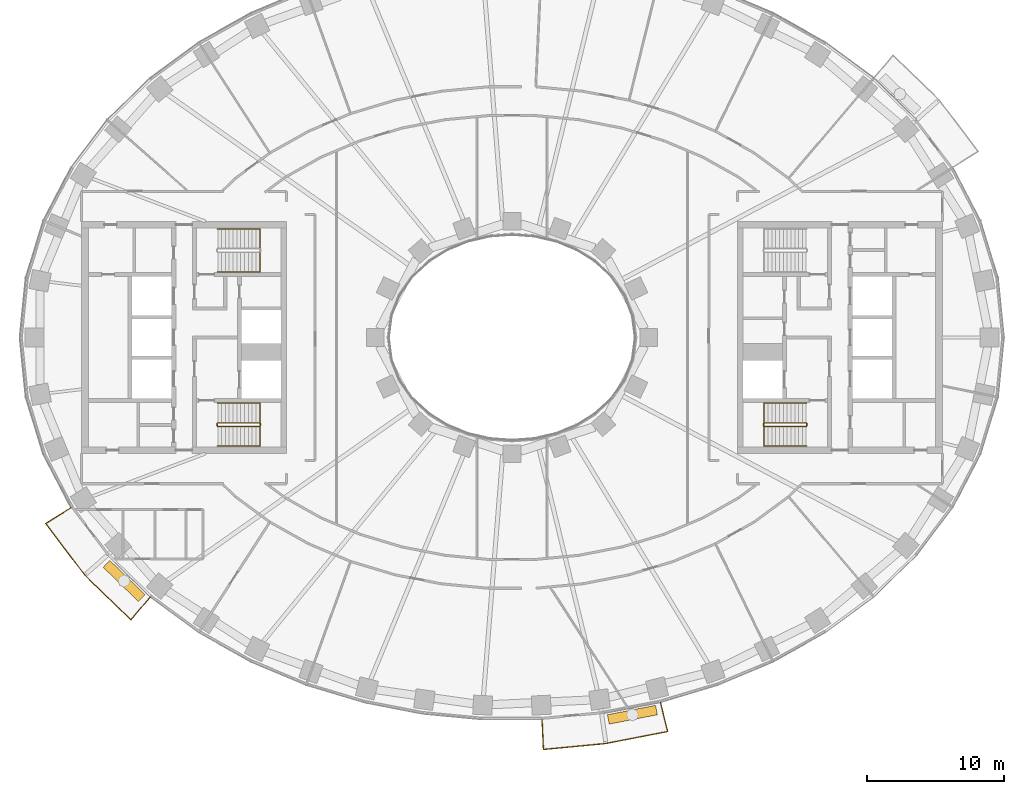
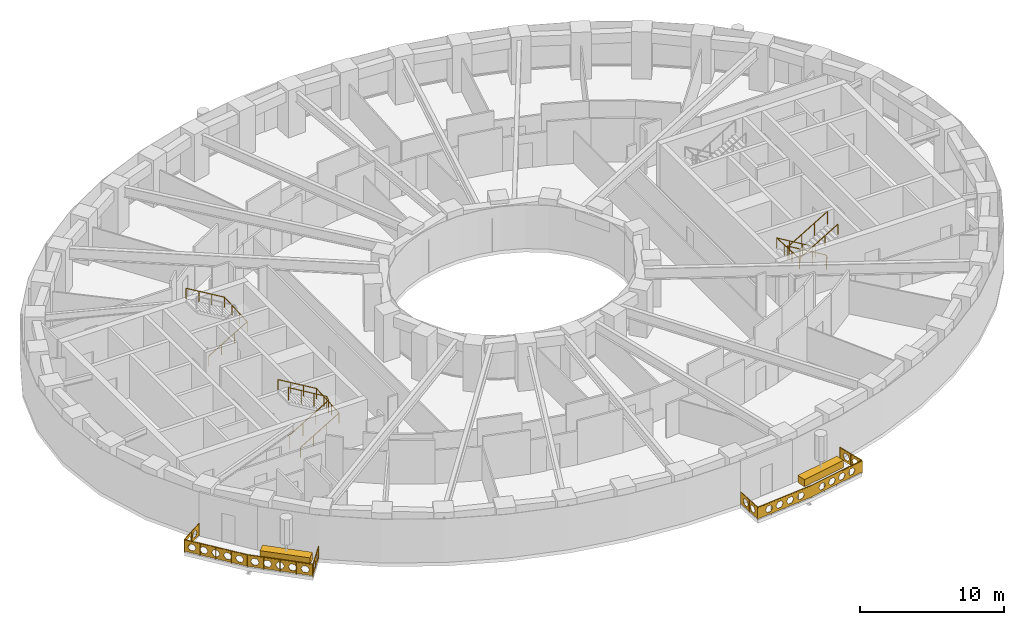
# One storey, part 14 of 16: 7 railings, 2 coverings.
"""IFC4 building model written with IfcOpenShell, lengths in metres."""

from ifc_helpers import new_model, si_unit, direction, frame, origin, origin_2d, place, context, subcontext, project, spatial, polyline, rectangle, outline, extrude, material, type_object, element, save


model = new_model("IFC4")

# Units and contexts
model_context = context("Model", 3, precision=1e-05, world=origin(), true_north=direction((0.0, 1.0)))
body_context = subcontext(model_context, "Body", "Model", "MODEL_VIEW")
ifc_project = project(units=[si_unit("LENGTHUNIT", "METRE"), si_unit("AREAUNIT", "SQUARE_METRE"), si_unit("VOLUMEUNIT", "CUBIC_METRE"), si_unit("PLANEANGLEUNIT", "RADIAN"), si_unit("MASSUNIT", "GRAM", prefix="KILO")], contexts=[model_context])

# Site, building, storey
site_placement = place(None, origin())
site = spatial("IfcSite", under=ifc_project, at=site_placement, CompositionType="ELEMENT")
building_placement = place(site_placement, origin())
building = spatial("IfcBuilding", under=site, at=building_placement, Name="Noorbagh Ring Tower", CompositionType="ELEMENT")
storey_placement = place(building_placement, frame((0.0, 0.0, 66.5)))
storey = spatial("IfcBuildingStorey", under=building, at=storey_placement, Name="L14", CompositionType="ELEMENT", Elevation=66.5)

# Railings
ifc_material_1 = material(Name="Stainless steel", Category="steel")
railing_type_1 = type_object("IfcRailingType", Name="CORE-STAIR-GUARD", PredefinedType="GUARDRAIL", material=ifc_material_1)
railing_1_placement = place(storey_placement, frame((-21.580078125, -6.449951171875, 0.0)))
element("IfcRailing", 1, at=railing_1_placement, inside=storey, type_object=railing_type_1, Name="L14 ST2 stair guard", PredefinedType="GUARDRAIL", context=body_context, shape_type="SweptSolid", body=[
    extrude(rectangle(XDim=0.048095703125, YDim=0.048095703125, at=origin_2d()), frame((0.0, 0.0, 1.076171875), z_axis=(0.0, 1.0, 0.0), x_axis=(-1.0, 0.0, 0.0)), (0.0, 0.0, 1.0), 0.14990234375),
    extrude(rectangle(XDim=0.048095703125, YDim=0.048095703125, at=origin_2d()), frame((0.0, 0.14990234375, 1.076171875), z_axis=(0.188775798145, -0.754182335027, 0.628945707965), x_axis=(0.970072785993, 0.242814311512, 0.0)), (0.0, 0.0, 1.0), 0.26513671875),
    extrude(rectangle(XDim=0.048095703125, YDim=0.048095703125, at=origin_2d()), frame((0.050048828125, -0.050048828125, 1.24267578125), z_axis=(0.859308565015, 0.0, 0.511457515432), x_axis=(0.0, 1.0, 0.0)), (0.0, 0.0, 1.0), 3.58447265625),
    extrude(rectangle(XDim=0.048095703125, YDim=0.048095703125, at=origin_2d()), frame((3.130126953125, -0.050048828125, 3.076171875), z_axis=(0.707106781187, 0.707106781187, 0.0), x_axis=(-0.707106781187, 0.707106781187, 0.0)), (0.0, 0.0, 1.0), 0.07080078125),
    extrude(rectangle(XDim=0.048095703125, YDim=0.048095703125, at=origin_2d()), frame((3.18017578125, 0.0, 3.076171875), z_axis=(0.0, 1.0, 0.0), x_axis=(-1.0, 0.0, 0.0)), (0.0, 0.0, 1.0), 0.14990234375),
    extrude(rectangle(XDim=0.048095703125, YDim=0.048095703125, at=origin_2d()), frame((3.18017578125, 0.14990234375, 3.076171875), z_axis=(-0.27628659633, 0.27628659633, 0.920506074601), x_axis=(-0.707106781187, -0.707106781187, 0.0)), (0.0, 0.0, 1.0), 0.18115234375),
    extrude(rectangle(XDim=0.048095703125, YDim=0.048095703125, at=origin_2d()), frame((3.130126953125, 0.199951171875, 3.24267578125), z_axis=(-0.859308565015, 0.0, 0.511457515432), x_axis=(0.0, -1.0, 0.0)), (0.0, 0.0, 1.0), 3.58447265625),
    extrude(rectangle(XDim=0.0419921875, YDim=0.0419921875, at=origin_2d()), origin(), (0.0, 0.0, 1.0), 1.052001953125),
    extrude(rectangle(XDim=0.0419921875, YDim=0.0419921875, at=origin_2d()), frame((1.07666015625, -0.050048828125, 0.77783203125)), (0.0, 0.0, 1.0), 1.052001953125),
    extrude(rectangle(XDim=0.0419921875, YDim=0.0419921875, at=origin_2d()), frame((2.103515625, -0.050048828125, 1.388916015625)), (0.0, 0.0, 1.0), 1.052001953125),
    extrude(rectangle(XDim=0.0419921875, YDim=0.0419921875, at=origin_2d()), frame((3.130126953125, -0.050048828125, 2.0)), (0.0, 0.0, 1.0), 1.052001953125),
    extrude(rectangle(XDim=0.0419921875, YDim=0.0419921875, at=origin_2d()), frame((3.130126953125, 0.199951171875, 2.166748046875)), (0.0, 0.0, 1.0), 1.052001953125),
    extrude(rectangle(XDim=0.0419921875, YDim=0.0419921875, at=origin_2d()), frame((2.103515625, 0.199951171875, 2.77783203125)), (0.0, 0.0, 1.0), 1.052001953125),
    extrude(rectangle(XDim=0.0419921875, YDim=0.0419921875, at=origin_2d()), frame((1.07666015625, 0.199951171875, 3.388916015625)), (0.0, 0.0, 1.0), 1.052001953125),
    extrude(rectangle(XDim=0.0419921875, YDim=0.0419921875, at=origin_2d()), frame((0.050048828125, 0.199951171875, 4.0)), (0.0, 0.0, 1.0), 1.052001953125),
])
railing_2_placement = place(storey_placement, frame((21.580078125, -6.300048828125, 0.0)))
element("IfcRailing", 2, at=railing_2_placement, inside=storey, type_object=railing_type_1, Name="L14 ST4 stair guard", PredefinedType="GUARDRAIL", context=body_context, shape_type="SweptSolid", body=[
    extrude(rectangle(XDim=0.048095703125, YDim=0.048095703125, at=origin_2d()), frame((0.0, 0.0, 1.076171875), z_axis=(0.0, -1.0, 0.0), x_axis=(1.0, 0.0, 0.0)), (0.0, 0.0, 1.0), 0.14990234375),
    extrude(rectangle(XDim=0.048095703125, YDim=0.048095703125, at=origin_2d()), frame((0.0, -0.14990234375, 1.076171875), z_axis=(-0.188775798145, 0.754182335027, 0.628945707965), x_axis=(-0.970072785993, -0.242814311512, 0.0)), (0.0, 0.0, 1.0), 0.26513671875),
    extrude(rectangle(XDim=0.048095703125, YDim=0.048095703125, at=origin_2d()), frame((-0.050048828125, 0.050048828125, 1.24267578125), z_axis=(-0.859308565015, 0.0, 0.511457515432), x_axis=(0.0, -1.0, 0.0)), (0.0, 0.0, 1.0), 3.58447265625),
    extrude(rectangle(XDim=0.048095703125, YDim=0.048095703125, at=origin_2d()), frame((-3.130126953125, 0.050048828125, 3.076171875), z_axis=(-0.707106781187, -0.707106781187, 0.0), x_axis=(0.707106781187, -0.707106781187, 0.0)), (0.0, 0.0, 1.0), 0.07080078125),
    extrude(rectangle(XDim=0.048095703125, YDim=0.048095703125, at=origin_2d()), frame((-3.18017578125, 0.0, 3.076171875), z_axis=(0.0, -1.0, 0.0), x_axis=(1.0, 0.0, 0.0)), (0.0, 0.0, 1.0), 0.14990234375),
    extrude(rectangle(XDim=0.048095703125, YDim=0.048095703125, at=origin_2d()), frame((-3.18017578125, -0.14990234375, 3.076171875), z_axis=(0.27628659633, -0.27628659633, 0.920506074601), x_axis=(0.707106781187, 0.707106781187, 0.0)), (0.0, 0.0, 1.0), 0.18115234375),
    extrude(rectangle(XDim=0.048095703125, YDim=0.048095703125, at=origin_2d()), frame((-3.130126953125, -0.199951171875, 3.24267578125), z_axis=(0.859308565015, 0.0, 0.511457515432), x_axis=(0.0, 1.0, 0.0)), (0.0, 0.0, 1.0), 3.58447265625),
    extrude(rectangle(XDim=0.0419921875, YDim=0.0419921875, at=origin_2d()), origin(), (0.0, 0.0, 1.0), 1.052001953125),
    extrude(rectangle(XDim=0.0419921875, YDim=0.0419921875, at=origin_2d()), frame((-1.07666015625, 0.050048828125, 0.77783203125)), (0.0, 0.0, 1.0), 1.052001953125),
    extrude(rectangle(XDim=0.0419921875, YDim=0.0419921875, at=origin_2d()), frame((-2.103515625, 0.050048828125, 1.388916015625)), (0.0, 0.0, 1.0), 1.052001953125),
    extrude(rectangle(XDim=0.0419921875, YDim=0.0419921875, at=origin_2d()), frame((-3.130126953125, 0.050048828125, 2.0)), (0.0, 0.0, 1.0), 1.052001953125),
    extrude(rectangle(XDim=0.0419921875, YDim=0.0419921875, at=origin_2d()), frame((-3.130126953125, -0.199951171875, 2.166748046875)), (0.0, 0.0, 1.0), 1.052001953125),
    extrude(rectangle(XDim=0.0419921875, YDim=0.0419921875, at=origin_2d()), frame((-2.103515625, -0.199951171875, 2.77783203125)), (0.0, 0.0, 1.0), 1.052001953125),
    extrude(rectangle(XDim=0.0419921875, YDim=0.0419921875, at=origin_2d()), frame((-1.07666015625, -0.199951171875, 3.388916015625)), (0.0, 0.0, 1.0), 1.052001953125),
    extrude(rectangle(XDim=0.0419921875, YDim=0.0419921875, at=origin_2d()), frame((-0.050048828125, -0.199951171875, 4.0)), (0.0, 0.0, 1.0), 1.052001953125),
])
ifc_material_2 = material(Name="Stainless steel", Category="steel")
railing_type_2 = type_object("IfcRailingType", Name="CORE-STAIR-HANDRAIL", PredefinedType="HANDRAIL", material=ifc_material_2)
railing_3_placement = place(storey_placement, frame((-21.530029296875, 4.800048828125, 0.166748046875)))
element("IfcRailing", 3, at=railing_3_placement, inside=storey, type_object=railing_type_2, Name="L14 ST1 stair handrail", PredefinedType="HANDRAIL", context=body_context, shape_type="SweptSolid", body=[
    extrude(rectangle(XDim=0.048095703125, YDim=0.048095703125, at=origin_2d()), frame((0.0, 0.0, 0.8759765625), z_axis=(0.859308565015, 0.0, 0.511457515432), x_axis=(0.0, 1.0, 0.0)), (0.0, 0.0, 1.0), 3.58447265625),
    extrude(rectangle(XDim=0.048095703125, YDim=0.048095703125, at=origin_2d()), frame((3.080078125, 0.0, 2.708984375), z_axis=(0.0, 0.998601747152, 0.052863509014), x_axis=(-1.0, 0.0, 0.0)), (0.0, 0.0, 1.0), 3.154296875),
    extrude(rectangle(XDim=0.048095703125, YDim=0.048095703125, at=origin_2d()), frame((3.080078125, 3.14990234375, 2.8759765625), z_axis=(-0.859308565015, 0.0, 0.511457515432), x_axis=(0.0, -1.0, 0.0)), (0.0, 0.0, 1.0), 3.58447265625),
    extrude(rectangle(XDim=0.0419921875, YDim=0.0419921875, at=origin_2d()), origin(), (0.0, 0.0, 1.0), 0.851806640625),
    extrude(rectangle(XDim=0.0419921875, YDim=0.0419921875, at=origin_2d()), frame((1.026611328125, 0.0, 0.611083984375)), (0.0, 0.0, 1.0), 0.851806640625),
    extrude(rectangle(XDim=0.0419921875, YDim=0.0419921875, at=origin_2d()), frame((2.053466796875, 0.0, 1.22216796875)), (0.0, 0.0, 1.0), 0.851806640625),
    extrude(rectangle(XDim=0.0419921875, YDim=0.0419921875, at=origin_2d()), frame((3.080078125, 0.0, 1.833251953125)), (0.0, 0.0, 1.0), 0.851806640625),
    extrude(rectangle(XDim=0.0419921875, YDim=0.0419921875, at=origin_2d()), frame((3.080078125, 1.050048828125, 1.888916015625)), (0.0, 0.0, 1.0), 0.851806640625),
    extrude(rectangle(XDim=0.0419921875, YDim=0.0419921875, at=origin_2d()), frame((3.080078125, 2.099853515625, 1.9443359375)), (0.0, 0.0, 1.0), 0.851806640625),
    extrude(rectangle(XDim=0.0419921875, YDim=0.0419921875, at=origin_2d()), frame((3.080078125, 3.14990234375, 2.0)), (0.0, 0.0, 1.0), 0.851806640625),
    extrude(rectangle(XDim=0.0419921875, YDim=0.0419921875, at=origin_2d()), frame((2.053466796875, 3.14990234375, 2.611083984375)), (0.0, 0.0, 1.0), 0.851806640625),
    extrude(rectangle(XDim=0.0419921875, YDim=0.0419921875, at=origin_2d()), frame((1.026611328125, 3.14990234375, 3.22216796875)), (0.0, 0.0, 1.0), 0.851806640625),
    extrude(rectangle(XDim=0.0419921875, YDim=0.0419921875, at=origin_2d()), frame((0.0, 3.14990234375, 3.833251953125)), (0.0, 0.0, 1.0), 0.851806640625),
])
railing_4_placement = place(storey_placement, frame((-21.530029296875, -7.949951171875, 0.166748046875)))
element("IfcRailing", 4, at=railing_4_placement, inside=storey, type_object=railing_type_2, Name="L14 ST2 stair handrail", PredefinedType="HANDRAIL", context=body_context, shape_type="SweptSolid", body=[
    extrude(rectangle(XDim=0.048095703125, YDim=0.048095703125, at=origin_2d()), frame((0.0, 0.0, 0.8759765625), z_axis=(0.859308565015, 0.0, 0.511457515432), x_axis=(0.0, 1.0, 0.0)), (0.0, 0.0, 1.0), 3.58447265625),
    extrude(rectangle(XDim=0.048095703125, YDim=0.048095703125, at=origin_2d()), frame((3.080078125, 0.0, 2.708984375), z_axis=(0.0, 0.998601747152, 0.052863509014), x_axis=(-1.0, 0.0, 0.0)), (0.0, 0.0, 1.0), 3.154296875),
    extrude(rectangle(XDim=0.048095703125, YDim=0.048095703125, at=origin_2d()), frame((3.080078125, 3.14990234375, 2.8759765625), z_axis=(-0.859308565015, 0.0, 0.511457515432), x_axis=(0.0, -1.0, 0.0)), (0.0, 0.0, 1.0), 3.58447265625),
    extrude(rectangle(XDim=0.0419921875, YDim=0.0419921875, at=origin_2d()), origin(), (0.0, 0.0, 1.0), 0.851806640625),
    extrude(rectangle(XDim=0.0419921875, YDim=0.0419921875, at=origin_2d()), frame((1.026611328125, 0.0, 0.611083984375)), (0.0, 0.0, 1.0), 0.851806640625),
    extrude(rectangle(XDim=0.0419921875, YDim=0.0419921875, at=origin_2d()), frame((2.053466796875, 0.0, 1.22216796875)), (0.0, 0.0, 1.0), 0.851806640625),
    extrude(rectangle(XDim=0.0419921875, YDim=0.0419921875, at=origin_2d()), frame((3.080078125, 0.0, 1.833251953125)), (0.0, 0.0, 1.0), 0.851806640625),
    extrude(rectangle(XDim=0.0419921875, YDim=0.0419921875, at=origin_2d()), frame((3.080078125, 1.050048828125, 1.888916015625)), (0.0, 0.0, 1.0), 0.851806640625),
    extrude(rectangle(XDim=0.0419921875, YDim=0.0419921875, at=origin_2d()), frame((3.080078125, 2.099853515625, 1.9443359375)), (0.0, 0.0, 1.0), 0.851806640625),
    extrude(rectangle(XDim=0.0419921875, YDim=0.0419921875, at=origin_2d()), frame((3.080078125, 3.14990234375, 2.0)), (0.0, 0.0, 1.0), 0.851806640625),
    extrude(rectangle(XDim=0.0419921875, YDim=0.0419921875, at=origin_2d()), frame((2.053466796875, 3.14990234375, 2.611083984375)), (0.0, 0.0, 1.0), 0.851806640625),
    extrude(rectangle(XDim=0.0419921875, YDim=0.0419921875, at=origin_2d()), frame((1.026611328125, 3.14990234375, 3.22216796875)), (0.0, 0.0, 1.0), 0.851806640625),
    extrude(rectangle(XDim=0.0419921875, YDim=0.0419921875, at=origin_2d()), frame((0.0, 3.14990234375, 3.833251953125)), (0.0, 0.0, 1.0), 0.851806640625),
])
railing_5_placement = place(storey_placement, frame((21.530029296875, -4.800048828125, 0.166748046875)))
element("IfcRailing", 5, at=railing_5_placement, inside=storey, type_object=railing_type_2, Name="L14 ST4 stair handrail", PredefinedType="HANDRAIL", context=body_context, shape_type="SweptSolid", body=[
    extrude(rectangle(XDim=0.048095703125, YDim=0.048095703125, at=origin_2d()), frame((0.0, 0.0, 0.8759765625), z_axis=(-0.859308565015, 0.0, 0.511457515432), x_axis=(0.0, -1.0, 0.0)), (0.0, 0.0, 1.0), 3.58447265625),
    extrude(rectangle(XDim=0.048095703125, YDim=0.048095703125, at=origin_2d()), frame((-3.080078125, 0.0, 2.708984375), z_axis=(0.0, -0.998601747152, 0.052863509014), x_axis=(1.0, 0.0, 0.0)), (0.0, 0.0, 1.0), 3.154296875),
    extrude(rectangle(XDim=0.048095703125, YDim=0.048095703125, at=origin_2d()), frame((-3.080078125, -3.14990234375, 2.8759765625), z_axis=(0.859308565015, 0.0, 0.511457515432), x_axis=(0.0, 1.0, 0.0)), (0.0, 0.0, 1.0), 3.58447265625),
    extrude(rectangle(XDim=0.0419921875, YDim=0.0419921875, at=origin_2d()), origin(), (0.0, 0.0, 1.0), 0.851806640625),
    extrude(rectangle(XDim=0.0419921875, YDim=0.0419921875, at=origin_2d()), frame((-1.026611328125, 0.0, 0.611083984375)), (0.0, 0.0, 1.0), 0.851806640625),
    extrude(rectangle(XDim=0.0419921875, YDim=0.0419921875, at=origin_2d()), frame((-2.053466796875, 0.0, 1.22216796875)), (0.0, 0.0, 1.0), 0.851806640625),
    extrude(rectangle(XDim=0.0419921875, YDim=0.0419921875, at=origin_2d()), frame((-3.080078125, 0.0, 1.833251953125)), (0.0, 0.0, 1.0), 0.851806640625),
    extrude(rectangle(XDim=0.0419921875, YDim=0.0419921875, at=origin_2d()), frame((-3.080078125, -1.050048828125, 1.888916015625)), (0.0, 0.0, 1.0), 0.851806640625),
    extrude(rectangle(XDim=0.0419921875, YDim=0.0419921875, at=origin_2d()), frame((-3.080078125, -2.099853515625, 1.9443359375)), (0.0, 0.0, 1.0), 0.851806640625),
    extrude(rectangle(XDim=0.0419921875, YDim=0.0419921875, at=origin_2d()), frame((-3.080078125, -3.14990234375, 2.0)), (0.0, 0.0, 1.0), 0.851806640625),
    extrude(rectangle(XDim=0.0419921875, YDim=0.0419921875, at=origin_2d()), frame((-2.053466796875, -3.14990234375, 2.611083984375)), (0.0, 0.0, 1.0), 0.851806640625),
    extrude(rectangle(XDim=0.0419921875, YDim=0.0419921875, at=origin_2d()), frame((-1.026611328125, -3.14990234375, 3.22216796875)), (0.0, 0.0, 1.0), 0.851806640625),
    extrude(rectangle(XDim=0.0419921875, YDim=0.0419921875, at=origin_2d()), frame((0.0, -3.14990234375, 3.833251953125)), (0.0, 0.0, 1.0), 0.851806640625),
])
ifc_material_3 = material(Name="Steel S275 black powder-coated", Category="steel")
railing_type_3 = type_object("IfcRailingType", Name="ENV-GUARD", PredefinedType="GUARDRAIL", material=ifc_material_3)
railing_6_placement = place(storey_placement, frame((-32.255126953125, -12.434814453125, 0.0)))
element("IfcRailing", 6, at=railing_6_placement, inside=storey, type_object=railing_type_3, Name="Balcony guard BS01", PredefinedType="GUARDRAIL", context=body_context, shape_type="SweptSolid", body=[
    extrude(rectangle(XDim=0.048095703125, YDim=0.048095703125, at=origin_2d()), frame((0.0, 0.0, 1.076171875), z_axis=(-0.844852397829, -0.534999463442, 0.0), x_axis=(0.534999463442, -0.844852397829, 0.0)), (0.0, 0.0, 1.0), 2.207763671875),
    extrude(rectangle(XDim=0.048095703125, YDim=0.048095703125, at=origin_2d()), frame((-1.865234375, -1.18115234375, 1.076171875), z_axis=(0.604001613322, -0.796983093362, 0.0), x_axis=(0.796983093362, 0.604001613322, 0.0)), (0.0, 0.0, 1.0), 4.7353515625),
    extrude(rectangle(XDim=0.048095703125, YDim=0.048095703125, at=origin_2d()), frame((0.994873046875, -4.955078125, 1.076171875), z_axis=(0.717212632946, -0.696854388766, 0.0), x_axis=(0.696854388766, 0.717212632946, 0.0)), (0.0, 0.0, 1.0), 4.700927734375),
    extrude(rectangle(XDim=0.048095703125, YDim=0.048095703125, at=origin_2d()), frame((4.366455078125, -8.23095703125, 1.076171875), z_axis=(0.646413574048, 0.762987215677, 0.0), x_axis=(-0.762987215677, 0.646413574048, 0.0)), (0.0, 0.0, 1.0), 2.205322265625),
    extrude(rectangle(XDim=0.0419921875, YDim=0.0419921875, at=origin_2d()), origin(), (0.0, 0.0, 1.0), 1.052001953125),
    extrude(rectangle(XDim=0.0419921875, YDim=0.0419921875, at=origin_2d()), frame((-0.9326171875, -0.590576171875, 0.0)), (0.0, 0.0, 1.0), 1.052001953125),
    extrude(rectangle(XDim=0.0419921875, YDim=0.0419921875, at=origin_2d()), frame((-1.865234375, -1.18115234375, 0.0)), (0.0, 0.0, 1.0), 1.052001953125),
    extrude(rectangle(XDim=0.0419921875, YDim=0.0419921875, at=origin_2d()), frame((-1.150146484375, -2.12451171875, 0.0)), (0.0, 0.0, 1.0), 1.052001953125),
    extrude(rectangle(XDim=0.0419921875, YDim=0.0419921875, at=origin_2d()), frame((-0.43505859375, -3.068115234375, 0.0)), (0.0, 0.0, 1.0), 1.052001953125),
    extrude(rectangle(XDim=0.0419921875, YDim=0.0419921875, at=origin_2d()), frame((0.27978515625, -4.01171875, 0.0)), (0.0, 0.0, 1.0), 1.052001953125),
    extrude(rectangle(XDim=0.0419921875, YDim=0.0419921875, at=origin_2d()), frame((0.994873046875, -4.955078125, 0.0)), (0.0, 0.0, 1.0), 1.052001953125),
    extrude(rectangle(XDim=0.0419921875, YDim=0.0419921875, at=origin_2d()), frame((1.837890625, -5.77392578125, 0.0)), (0.0, 0.0, 1.0), 1.052001953125),
    extrude(rectangle(XDim=0.0419921875, YDim=0.0419921875, at=origin_2d()), frame((2.6806640625, -6.593017578125, 0.0)), (0.0, 0.0, 1.0), 1.052001953125),
    extrude(rectangle(XDim=0.0419921875, YDim=0.0419921875, at=origin_2d()), frame((3.5234375, -7.412109375, 0.0)), (0.0, 0.0, 1.0), 1.052001953125),
    extrude(rectangle(XDim=0.0419921875, YDim=0.0419921875, at=origin_2d()), frame((4.366455078125, -8.23095703125, 0.0)), (0.0, 0.0, 1.0), 1.052001953125),
    extrude(rectangle(XDim=0.0419921875, YDim=0.0419921875, at=origin_2d()), frame((5.0791015625, -7.3896484375, 0.0)), (0.0, 0.0, 1.0), 1.052001953125),
    extrude(rectangle(XDim=0.0419921875, YDim=0.0419921875, at=origin_2d()), frame((5.7919921875, -6.54833984375, 0.0)), (0.0, 0.0, 1.0), 1.052001953125),
    extrude(outline(polyline([(0.0, 0.10009765625), (2.207763671875, 0.10009765625), (2.207763671875, 1.031982421875), (0.0, 1.031982421875), (0.0, 0.10009765625)]), holes=[polyline([(0.9638671875, 0.56591796875), (0.808837890625, 0.83447265625), (0.498779296875, 0.83447265625), (0.343994140625, 0.56591796875), (0.498779296875, 0.297607421875), (0.808837890625, 0.297607421875), (0.9638671875, 0.56591796875)]), polyline([(1.86376953125, 0.56591796875), (1.708984375, 0.83447265625), (1.39892578125, 0.83447265625), (1.243896484375, 0.56591796875), (1.39892578125, 0.297607421875), (1.708984375, 0.297607421875), (1.86376953125, 0.56591796875)])]), frame((0.00537109375, -0.008544921875, 0.0), z_axis=(-0.534999463442, 0.844852397829, 0.0), x_axis=(-0.844852397829, -0.534999463442, 0.0)), (0.0, 0.0, 1.0), 0.02001953125),
    extrude(outline(polyline([(0.0, 0.10009765625), (4.7353515625, 0.10009765625), (4.7353515625, 1.031982421875), (0.0, 1.031982421875), (0.0, 0.10009765625)]), holes=[polyline([(0.877685546875, 0.56591796875), (0.72265625, 0.83447265625), (0.41259765625, 0.83447265625), (0.257568359375, 0.56591796875), (0.41259765625, 0.297607421875), (0.72265625, 0.297607421875), (0.877685546875, 0.56591796875)]), polyline([(1.777587890625, 0.56591796875), (1.62255859375, 0.83447265625), (1.312744140625, 0.83447265625), (1.15771484375, 0.56591796875), (1.312744140625, 0.297607421875), (1.62255859375, 0.297607421875), (1.777587890625, 0.56591796875)]), polyline([(2.677734375, 0.56591796875), (2.522705078125, 0.83447265625), (2.212646484375, 0.83447265625), (2.0576171875, 0.56591796875), (2.212646484375, 0.297607421875), (2.522705078125, 0.297607421875), (2.677734375, 0.56591796875)]), polyline([(3.57763671875, 0.56591796875), (3.422607421875, 0.83447265625), (3.112548828125, 0.83447265625), (2.95751953125, 0.56591796875), (3.112548828125, 0.297607421875), (3.422607421875, 0.297607421875), (3.57763671875, 0.56591796875)]), polyline([(4.4775390625, 0.56591796875), (4.32275390625, 0.83447265625), (4.0126953125, 0.83447265625), (3.857666015625, 0.56591796875), (4.0126953125, 0.297607421875), (4.32275390625, 0.297607421875), (4.4775390625, 0.56591796875)])]), frame((-1.857177734375, -1.175048828125, 0.0), z_axis=(-0.796983093362, -0.604001613322, 0.0), x_axis=(0.604001613322, -0.796983093362, 0.0)), (0.0, 0.0, 1.0), 0.02001953125),
    extrude(outline(polyline([(0.0, 0.10009765625), (4.700927734375, 0.10009765625), (4.700927734375, 1.031982421875), (0.0, 1.031982421875), (0.0, 0.10009765625)]), holes=[polyline([(0.860595703125, 0.56591796875), (0.70556640625, 0.83447265625), (0.3955078125, 0.83447265625), (0.240478515625, 0.56591796875), (0.3955078125, 0.297607421875), (0.70556640625, 0.297607421875), (0.860595703125, 0.56591796875)]), polyline([(1.760498046875, 0.56591796875), (1.60546875, 0.83447265625), (1.29541015625, 0.83447265625), (1.140380859375, 0.56591796875), (1.29541015625, 0.297607421875), (1.60546875, 0.297607421875), (1.760498046875, 0.56591796875)]), polyline([(2.660400390625, 0.56591796875), (2.50537109375, 0.83447265625), (2.195556640625, 0.83447265625), (2.04052734375, 0.56591796875), (2.195556640625, 0.297607421875), (2.50537109375, 0.297607421875), (2.660400390625, 0.56591796875)]), polyline([(3.560546875, 0.56591796875), (3.405517578125, 0.83447265625), (3.095458984375, 0.83447265625), (2.9404296875, 0.56591796875), (3.095458984375, 0.297607421875), (3.405517578125, 0.297607421875), (3.560546875, 0.56591796875)]), polyline([(4.46044921875, 0.56591796875), (4.305419921875, 0.83447265625), (3.995361328125, 0.83447265625), (3.840576171875, 0.56591796875), (3.995361328125, 0.297607421875), (4.305419921875, 0.297607421875), (4.46044921875, 0.56591796875)])]), frame((1.001953125, -4.947998046875, 0.0), z_axis=(-0.696854388766, -0.717212632946, 0.0), x_axis=(0.717212632946, -0.696854388766, 0.0)), (0.0, 0.0, 1.0), 0.02001953125),
    extrude(outline(polyline([(0.0, 0.10009765625), (2.205322265625, 0.10009765625), (2.205322265625, 1.031982421875), (0.0, 1.031982421875), (0.0, 0.10009765625)]), holes=[polyline([(0.962646484375, 0.56591796875), (0.8076171875, 0.83447265625), (0.49755859375, 0.83447265625), (0.342529296875, 0.56591796875), (0.49755859375, 0.297607421875), (0.8076171875, 0.297607421875), (0.962646484375, 0.56591796875)]), polyline([(1.862548828125, 0.56591796875), (1.707763671875, 0.83447265625), (1.397705078125, 0.83447265625), (1.24267578125, 0.56591796875), (1.397705078125, 0.297607421875), (1.707763671875, 0.297607421875), (1.862548828125, 0.56591796875)])]), frame((4.35888671875, -8.224609375, 0.0), z_axis=(0.762987215677, -0.646413574048, 0.0), x_axis=(0.646413574048, 0.762987215677, 0.0)), (0.0, 0.0, 1.0), 0.02001953125),
])
railing_7_placement = place(storey_placement, frame((2.193115234375, -27.947998046875, 0.0)))
element("IfcRailing", 7, at=railing_7_placement, inside=storey, type_object=railing_type_3, Name="Balcony guard BS04", PredefinedType="GUARDRAIL", context=body_context, shape_type="SweptSolid", body=[
    extrude(rectangle(XDim=0.048095703125, YDim=0.048095703125, at=origin_2d()), frame((0.0, 0.0, 1.076171875), z_axis=(0.047554616162, -0.998868639252, 0.0), x_axis=(0.998868639252, 0.047554616162, 0.0)), (0.0, 0.0, 1.0), 2.202392578125),
    extrude(rectangle(XDim=0.048095703125, YDim=0.048095703125, at=origin_2d()), frame((0.104736328125, -2.199951171875, 1.076171875), z_axis=(0.995477555764, 0.094997031379, 0.0), x_axis=(-0.094997031379, 0.995477555764, 0.0)), (0.0, 0.0, 1.0), 4.59765625),
    extrude(rectangle(XDim=0.048095703125, YDim=0.048095703125, at=origin_2d()), frame((4.681640625, -1.76318359375, 1.076171875), z_axis=(0.981625049064, 0.1908199755, 0.0), x_axis=(-0.1908199755, 0.981625049064, 0.0)), (0.0, 0.0, 1.0), 4.603271484375),
    extrude(rectangle(XDim=0.048095703125, YDim=0.048095703125, at=origin_2d()), frame((9.200439453125, -0.884765625, 1.076171875), z_axis=(-0.239848558412, 0.970810315679, 0.0), x_axis=(-0.970810315679, -0.239848558412, 0.0)), (0.0, 0.0, 1.0), 2.20263671875),
    extrude(rectangle(XDim=0.0419921875, YDim=0.0419921875, at=origin_2d()), origin(), (0.0, 0.0, 1.0), 1.052001953125),
    extrude(rectangle(XDim=0.0419921875, YDim=0.0419921875, at=origin_2d()), frame((0.05224609375, -1.10009765625, 0.0)), (0.0, 0.0, 1.0), 1.052001953125),
    extrude(rectangle(XDim=0.0419921875, YDim=0.0419921875, at=origin_2d()), frame((0.104736328125, -2.199951171875, 0.0)), (0.0, 0.0, 1.0), 1.052001953125),
    extrude(rectangle(XDim=0.0419921875, YDim=0.0419921875, at=origin_2d()), frame((1.2490234375, -2.0908203125, 0.0)), (0.0, 0.0, 1.0), 1.052001953125),
    extrude(rectangle(XDim=0.0419921875, YDim=0.0419921875, at=origin_2d()), frame((2.39306640625, -1.9814453125, 0.0)), (0.0, 0.0, 1.0), 1.052001953125),
    extrude(rectangle(XDim=0.0419921875, YDim=0.0419921875, at=origin_2d()), frame((3.537353515625, -1.872314453125, 0.0)), (0.0, 0.0, 1.0), 1.052001953125),
    extrude(rectangle(XDim=0.0419921875, YDim=0.0419921875, at=origin_2d()), frame((4.681640625, -1.76318359375, 0.0)), (0.0, 0.0, 1.0), 1.052001953125),
    extrude(rectangle(XDim=0.0419921875, YDim=0.0419921875, at=origin_2d()), frame((5.811279296875, -1.54345703125, 0.0)), (0.0, 0.0, 1.0), 1.052001953125),
    extrude(rectangle(XDim=0.0419921875, YDim=0.0419921875, at=origin_2d()), frame((6.94091796875, -1.323974609375, 0.0)), (0.0, 0.0, 1.0), 1.052001953125),
    extrude(rectangle(XDim=0.0419921875, YDim=0.0419921875, at=origin_2d()), frame((8.07080078125, -1.1044921875, 0.0)), (0.0, 0.0, 1.0), 1.052001953125),
    extrude(rectangle(XDim=0.0419921875, YDim=0.0419921875, at=origin_2d()), frame((9.200439453125, -0.884765625, 0.0)), (0.0, 0.0, 1.0), 1.052001953125),
    extrude(rectangle(XDim=0.0419921875, YDim=0.0419921875, at=origin_2d()), frame((8.936279296875, 0.1845703125, 0.0)), (0.0, 0.0, 1.0), 1.052001953125),
    extrude(rectangle(XDim=0.0419921875, YDim=0.0419921875, at=origin_2d()), frame((8.672119140625, 1.253662109375, 0.0)), (0.0, 0.0, 1.0), 1.052001953125),
    extrude(outline(polyline([(0.0, 0.10009765625), (2.202392578125, 0.10009765625), (2.202392578125, 1.031982421875), (0.0, 1.031982421875), (0.0, 0.10009765625)]), holes=[polyline([(0.961181640625, 0.56591796875), (0.80615234375, 0.83447265625), (0.496337890625, 0.83447265625), (0.34130859375, 0.56591796875), (0.496337890625, 0.297607421875), (0.80615234375, 0.297607421875), (0.961181640625, 0.56591796875)]), polyline([(1.861328125, 0.56591796875), (1.706298828125, 0.83447265625), (1.396240234375, 0.83447265625), (1.2412109375, 0.56591796875), (1.396240234375, 0.297607421875), (1.706298828125, 0.297607421875), (1.861328125, 0.56591796875)])]), frame((0.010009765625, 0.00048828125, 0.0), z_axis=(-0.998868639252, -0.047554616162, 0.0), x_axis=(0.047554616162, -0.998868639252, 0.0)), (0.0, 0.0, 1.0), 0.02001953125),
    extrude(outline(polyline([(0.0, 0.10009765625), (4.59765625, 0.10009765625), (4.59765625, 1.031982421875), (0.0, 1.031982421875), (0.0, 0.10009765625)]), holes=[polyline([(1.2587890625, 0.56591796875), (1.103759765625, 0.83447265625), (0.7939453125, 0.83447265625), (0.638916015625, 0.56591796875), (0.7939453125, 0.297607421875), (1.103759765625, 0.297607421875), (1.2587890625, 0.56591796875)]), polyline([(2.158935546875, 0.56591796875), (2.00390625, 0.83447265625), (1.69384765625, 0.83447265625), (1.538818359375, 0.56591796875), (1.69384765625, 0.297607421875), (2.00390625, 0.297607421875), (2.158935546875, 0.56591796875)]), polyline([(3.058837890625, 0.56591796875), (2.90380859375, 0.83447265625), (2.59375, 0.83447265625), (2.43896484375, 0.56591796875), (2.59375, 0.297607421875), (2.90380859375, 0.297607421875), (3.058837890625, 0.56591796875)]), polyline([(3.958740234375, 0.56591796875), (3.803955078125, 0.83447265625), (3.493896484375, 0.83447265625), (3.3388671875, 0.56591796875), (3.493896484375, 0.297607421875), (3.803955078125, 0.297607421875), (3.958740234375, 0.56591796875)])]), frame((0.103759765625, -2.18994140625, 0.0), z_axis=(0.094997031379, -0.995477555764, 0.0), x_axis=(0.995477555764, 0.094997031379, 0.0)), (0.0, 0.0, 1.0), 0.02001953125),
    extrude(outline(polyline([(0.0, 0.10009765625), (4.603271484375, 0.10009765625), (4.603271484375, 1.031982421875), (0.0, 1.031982421875), (0.0, 0.10009765625)]), holes=[polyline([(1.26171875, 0.56591796875), (1.106689453125, 0.83447265625), (0.796630859375, 0.83447265625), (0.6416015625, 0.56591796875), (0.796630859375, 0.297607421875), (1.106689453125, 0.297607421875), (1.26171875, 0.56591796875)]), polyline([(2.16162109375, 0.56591796875), (2.006591796875, 0.83447265625), (1.69677734375, 0.83447265625), (1.541748046875, 0.56591796875), (1.69677734375, 0.297607421875), (2.006591796875, 0.297607421875), (2.16162109375, 0.56591796875)]), polyline([(3.061767578125, 0.56591796875), (2.90673828125, 0.83447265625), (2.5966796875, 0.83447265625), (2.441650390625, 0.56591796875), (2.5966796875, 0.297607421875), (2.90673828125, 0.297607421875), (3.061767578125, 0.56591796875)]), polyline([(3.961669921875, 0.56591796875), (3.806640625, 0.83447265625), (3.49658203125, 0.83447265625), (3.341796875, 0.56591796875), (3.49658203125, 0.297607421875), (3.806640625, 0.297607421875), (3.961669921875, 0.56591796875)])]), frame((4.6796875, -1.75341796875, 0.0), z_axis=(0.1908199755, -0.981625049064, 0.0), x_axis=(0.981625049064, 0.1908199755, 0.0)), (0.0, 0.0, 1.0), 0.02001953125),
    extrude(outline(polyline([(0.0, 0.10009765625), (2.20263671875, 0.10009765625), (2.20263671875, 1.031982421875), (0.0, 1.031982421875), (0.0, 0.10009765625)]), holes=[polyline([(0.96142578125, 0.56591796875), (0.806396484375, 0.83447265625), (0.496337890625, 0.83447265625), (0.34130859375, 0.56591796875), (0.496337890625, 0.297607421875), (0.806396484375, 0.297607421875), (0.96142578125, 0.56591796875)]), polyline([(1.861328125, 0.56591796875), (1.706298828125, 0.83447265625), (1.396240234375, 0.83447265625), (1.241455078125, 0.56591796875), (1.396240234375, 0.297607421875), (1.706298828125, 0.297607421875), (1.861328125, 0.56591796875)])]), frame((9.190673828125, -0.88720703125, 0.0), z_axis=(0.970810315679, 0.239848558412, 0.0), x_axis=(-0.239848558412, 0.970810315679, 0.0)), (0.0, 0.0, 1.0), 0.02001953125),
])

# Coverings
ifc_material_4 = material(Name="Concrete C30/37 planter with soil", Category="concrete")
covering_type = type_object("IfcCoveringType", Name="ENV-PLANTER", PredefinedType="CLADDING", material=ifc_material_4)
covering_1_placement = place(storey_placement, frame((-28.3837890625, -17.814208984375, 0.0), z_axis=(0.0, 0.0, 1.0), x_axis=(0.717224548362, -0.696842125038, 0.0)))
element("IfcCovering", 8, at=covering_1_placement, inside=storey, type_object=covering_type, Name="PLANTER BS01", ObjectType="PLANTER", PredefinedType="CLADDING", context=body_context, shape_type="SweptSolid", body=[
    extrude(rectangle(XDim=3.584228515625, YDim=0.699951171875, at=origin_2d()), origin(), (0.0, 0.0, 1.0), 0.60009765625),
])
covering_2_placement = place(storey_placement, frame((8.807861328125, -27.603515625, 0.0), z_axis=(0.0, 0.0, 1.0), x_axis=(0.981624952922, 0.190820470077, 0.0)))
element("IfcCovering", 9, at=covering_2_placement, inside=storey, type_object=covering_type, Name="PLANTER BS04", ObjectType="PLANTER", PredefinedType="CLADDING", context=body_context, shape_type="SweptSolid", body=[
    extrude(rectangle(XDim=3.586181640625, YDim=0.699951171875, at=origin_2d()), origin(), (0.0, 0.0, 1.0), 0.60009765625),
])

save(model, "model.ifc")
